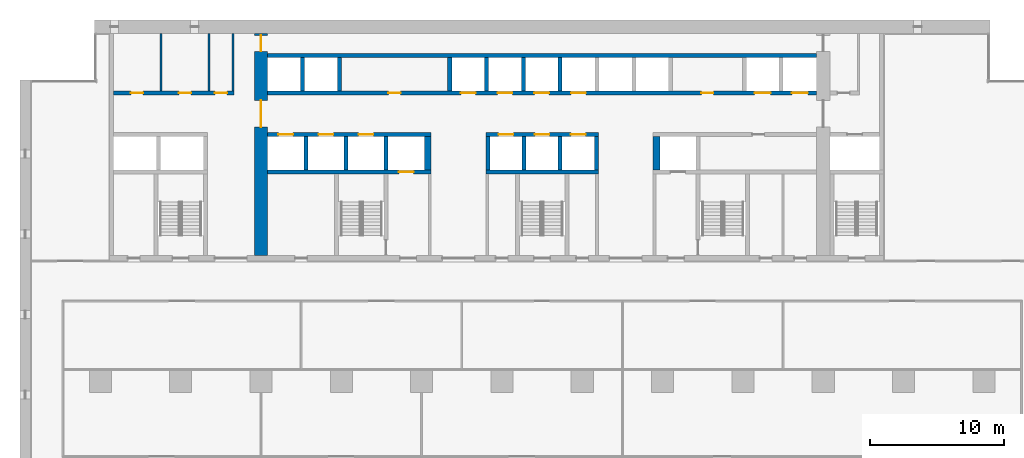
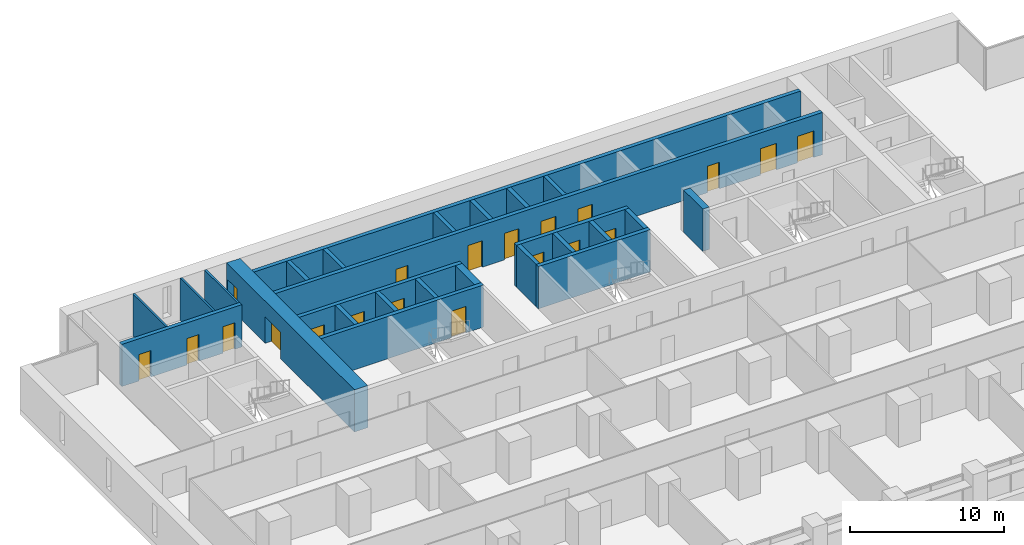
# One storey, part 11 of 18: 26 walls, 20 doors, 20 openings.
"""IFC4 building model written with IfcOpenShell, lengths in metres."""

import ifcopenshell
import ifcopenshell.guid

model = None  # the IFC model being written
_history = None  # IfcOwnerHistory: only IFC2X3 demands one
_inside = {}  # id of a spatial element -> (the spatial element, [elements in it])
_under = {}  # id of a project, library or spatial element -> (it, [spatial elements below it])
_declared = {}  # id of a project -> (the project, [libraries it declares])
_typed = {}  # id of a type object -> (the type object, [elements of that type])
_made_of = {}  # id of a material, layer set ... -> (it, [elements and type objects made of it])


def new_model(schema):
    """Start an empty IFC model of exactly this schema.

    Asked for "IFC4X3", IfcOpenShell would pick the latest addendum, in which some entities
    have other attributes; the version numbers below select the first issue.
    IFC2X3 requires an IfcOwnerHistory on every rooted entity: one is made here for all.
    """
    global model, _history
    if schema == "IFC4X3":
        model = ifcopenshell.file(schema_version=(4, 3, 0, 0))
    else:
        model = ifcopenshell.file(schema=schema)
    _inside.clear()
    _under.clear()
    _declared.clear()
    _typed.clear()
    _made_of.clear()
    _history = None
    if model.schema == "IFC2X3":
        org = make("IfcOrganization", Name="unknown")
        user = make(
            "IfcPersonAndOrganization",
            ThePerson=make("IfcPerson", FamilyName="unknown"),
            TheOrganization=org,
        )
        app = make(
            "IfcApplication",
            ApplicationDeveloper=org,
            Version="unknown",
            ApplicationFullName="unknown",
            ApplicationIdentifier="unknown",
        )
        _history = make(
            "IfcOwnerHistory",
            OwningUser=user,
            OwningApplication=app,
            ChangeAction="ADDED",
            CreationDate=0,
        )
    return model


def make(cls, **values):
    """One entity of the class cls with the attributes given. An attribute that is None is left unset."""
    return model.create_entity(
        cls, **{name: value for name, value in values.items() if value is not None}
    )


def rooted(cls, **values):
    """An entity with a GlobalId (a new one), such as an element, a storey or a relation."""
    return make(cls, GlobalId=ifcopenshell.guid.new(), OwnerHistory=_history, **values)


def si_unit(unit_type, name, prefix=None):
    """IfcSIUnit, for example si_unit("LENGTHUNIT", "METRE", prefix="MILLI")."""
    return make("IfcSIUnit", UnitType=unit_type, Prefix=prefix, Name=name)


def assignment(units):
    """IfcUnitAssignment: the units of a project."""
    return None if units is None else make("IfcUnitAssignment", Units=units)


def point(xyz):
    """IfcCartesianPoint."""
    return None if xyz is None else make("IfcCartesianPoint", Coordinates=xyz)


def direction(xyz):
    """IfcDirection."""
    return None if xyz is None else make("IfcDirection", DirectionRatios=xyz)


def frame(location, z_axis=None, x_axis=None):
    """IfcAxis2Placement3D, a coordinate frame: its origin and axes. An axis left out is left unset."""
    return make(
        "IfcAxis2Placement3D",
        Location=point(location),
        Axis=direction(z_axis),
        RefDirection=direction(x_axis),
    )


def frame_2d(location, x_axis=None):
    """IfcAxis2Placement2D, a coordinate frame in the plane: its origin and x axis."""
    return make(
        "IfcAxis2Placement2D", Location=point(location), RefDirection=direction(x_axis)
    )


def origin():
    """The frame at (0, 0, 0) with its axes left unset."""
    return frame((0.0, 0.0, 0.0))


def place(relative_to, where):
    """IfcLocalPlacement: puts the frame where relative to a parent placement (None: the world)."""
    return make(
        "IfcLocalPlacement", PlacementRelTo=relative_to, RelativePlacement=where
    )


def context(
    kind, dimensions, precision=None, world=None, true_north=None, identifier=None
):
    """IfcGeometricRepresentationContext, for example the 3D "Model" context."""
    return make(
        "IfcGeometricRepresentationContext",
        ContextIdentifier=identifier,
        ContextType=kind,
        CoordinateSpaceDimension=dimensions,
        Precision=precision,
        WorldCoordinateSystem=world,
        TrueNorth=true_north,
    )


def subcontext(parent, identifier, kind, view, scale=None):
    """IfcGeometricRepresentationSubContext, for example "Body" below "Model"."""
    return make(
        "IfcGeometricRepresentationSubContext",
        ContextIdentifier=identifier,
        ContextType=kind,
        ParentContext=parent,
        TargetScale=scale,
        TargetView=view,
    )


def project(units=None, contexts=None):
    """IfcProject with its units and contexts."""
    return rooted(
        "IfcProject",
        Name="project",
        RepresentationContexts=contexts,
        UnitsInContext=assignment(units),
    )


def spatial(cls, under=None, at=None, **own):
    """A site, building, storey or space (cls), placed at a placement, below another one or the project."""
    s = rooted(cls, ObjectPlacement=at, **own)
    if under is not None:
        _under.setdefault(under.id(), (under, []))[1].append(s)
    return s


def profile(cls, at=None, kind="AREA", **sizes):
    """A parametric profile (cls). Its sizes go by their IFC names, for example OverallWidth=200.0."""
    return make(cls, ProfileType=kind, Position=at, **sizes)


def rectangle(**sizes):
    """IfcRectangleProfileDef."""
    return profile("IfcRectangleProfileDef", **sizes)


def extrude(swept, where, along, depth):
    """IfcExtrudedAreaSolid: the profile swept, set in the frame where, extruded along a direction by depth."""
    return make(
        "IfcExtrudedAreaSolid",
        SweptArea=swept,
        Position=where,
        ExtrudedDirection=direction(along),
        Depth=depth,
    )


def shape(context_of_items, identifier, shape_type, items):
    """IfcShapeRepresentation: the items that make up one representation, for example the "Body"."""
    return make(
        "IfcShapeRepresentation",
        ContextOfItems=context_of_items,
        RepresentationIdentifier=identifier,
        RepresentationType=shape_type,
        Items=items,
    )


def material(Name=None, Category=None):
    """IfcMaterial."""
    return make("IfcMaterial", Name=Name, Category=Category)


def layer(
    of_material, thickness, ventilated=None, Name=None, Category=None, Priority=None
):
    """IfcMaterialLayer: one layer of a wall or slab, of a material (None: an air gap)."""
    return make(
        "IfcMaterialLayer",
        Material=of_material,
        LayerThickness=thickness,
        IsVentilated=ventilated,
        Name=Name,
        Category=Category,
        Priority=Priority,
    )


def layer_set(layers, Name=None):
    """IfcMaterialLayerSet."""
    return make("IfcMaterialLayerSet", MaterialLayers=layers, LayerSetName=Name)


def made_of(thing, what):
    """Note that an element or type object is made of a material, layer set ...; save() writes the relation."""
    if what is not None:
        _made_of.setdefault(what.id(), (what, []))[1].append(thing)
    return thing


def type_object(cls, material=None, **own):
    """A type object (cls), such as IfcWallType, which elements share."""
    return made_of(rooted(cls, **own), material)


def element(
    cls,
    number,
    at=None,
    inside=None,
    cuts=None,
    type_object=None,
    material=None,
    context=None,
    identifier="Body",
    shape_type=None,
    held_by="IfcProductDefinitionShape",
    body=None,
    shapes=None,
    **own,
):
    """One element of the class cls, such as IfcWall. Its Tag is "e" and its number.

    at: its placement. inside: the storey or other place that contains it. cuts: it is an
    opening in that element (IfcRelVoidsElement). A single representation is given by context,
    identifier, shape_type and body (its items); several are given by shapes. held_by: the class
    of the entity that holds the representations. save() writes the other relations.
    """
    e = rooted(cls, Tag="e%d" % number, ObjectPlacement=at, **own)
    if body is not None:
        shapes = [shape(context, identifier, shape_type, body)]
    if shapes is not None:
        e.Representation = make(held_by, Representations=shapes)
    if inside is not None:
        _inside.setdefault(inside.id(), (inside, []))[1].append(e)
    if cuts is not None:
        rooted(
            "IfcRelVoidsElement", RelatingBuildingElement=cuts, RelatedOpeningElement=e
        )
    if type_object is not None:
        _typed.setdefault(type_object.id(), (type_object, []))[1].append(e)
    return made_of(e, material)


def fill(opening, filler):
    """IfcRelFillsElement: the door or window that sits in an opening."""
    return rooted(
        "IfcRelFillsElement",
        RelatingOpeningElement=opening,
        RelatedBuildingElement=filler,
    )


def aggregate(whole, parts):
    """IfcRelAggregates: a whole, such as a stair, and the parts it consists of."""
    return rooted("IfcRelAggregates", RelatingObject=whole, RelatedObjects=parts)


def save(model, path):
    """Write the relations noted so far, then the file.

    IfcRelAggregates (storeys below a building ...), IfcRelContainedInSpatialStructure (elements
    in a storey), IfcRelDefinesByType, IfcRelAssociatesMaterial and IfcRelDeclares: one each for
    every whole, place, type object, material and project.
    """
    for whole, parts in _under.values():
        aggregate(whole, parts)
    for where, things in _inside.values():
        rooted(
            "IfcRelContainedInSpatialStructure",
            RelatedElements=things,
            RelatingStructure=where,
        )
    for kind, things in _typed.values():
        rooted("IfcRelDefinesByType", RelatedObjects=things, RelatingType=kind)
    for what, things in _made_of.values():
        rooted("IfcRelAssociatesMaterial", RelatedObjects=things, RelatingMaterial=what)
    for by, libraries in _declared.values():
        rooted("IfcRelDeclares", RelatingContext=by, RelatedDefinitions=libraries)
    model.write(path)


model = new_model("IFC4")

# Units and contexts
model_context = context("Model", 3, precision=1e-05, world=origin(), true_north=direction((0.0, 1.0)))
body_context = subcontext(model_context, "Body", "Model", "MODEL_VIEW")
ifc_project = project(units=[si_unit("LENGTHUNIT", "METRE"), si_unit("AREAUNIT", "SQUARE_METRE"), si_unit("VOLUMEUNIT", "CUBIC_METRE"), si_unit("PLANEANGLEUNIT", "RADIAN"), si_unit("MASSUNIT", "GRAM", prefix="KILO")], contexts=[model_context])

# Site, building, storey
site_placement = place(None, origin())
site = spatial("IfcSite", under=ifc_project, at=site_placement, CompositionType="ELEMENT")
building_placement = place(site_placement, origin())
building = spatial("IfcBuilding", under=site, at=building_placement, Name="Calvaro Tower", CompositionType="ELEMENT")
storey_placement = place(building_placement, frame((0.0, 0.0, 56.25)))
storey = spatial("IfcBuildingStorey", under=building, at=storey_placement, Name="L13", CompositionType="ELEMENT", Elevation=56.25)

# Walls
ifc_material_1 = material(Name="Blockwork partition", Category="masonry")
ifc_layer_1 = layer(ifc_material_1, 0.14990234375)
ifc_layer_set_1 = layer_set([ifc_layer_1], Name="Blockwork partition")
wall_type_1 = type_object("IfcWallType", Name="Core partition 150 EI 60", PredefinedType="PARTITIONING", material=ifc_layer_set_1)
for number, where, z_axis, x_axis, name in (
    (1, (10.550048828125, 40.699951171875, 0.0), (0.0, 0.0, 1.0), (0.0, 1.0, 0.0), "Core partition"),
    (2, (14.10009765625, 40.699951171875, 0.0), (0.0, 0.0, 1.0), (0.0, 1.0, 0.0), "Core partition"),
):
    element("IfcWall", number, at=place(storey_placement, frame(where, z_axis=z_axis, x_axis=x_axis)), inside=storey, type_object=wall_type_1, Name=name, PredefinedType="PARTITIONING", context=body_context, shape_type="SweptSolid", body=[
        extrude(rectangle(XDim=4.300048828125, YDim=0.14990234375, at=frame_2d((2.14990234375, 0.0))), origin(), (0.0, 0.0, 1.0), 3.35009765625),
    ])
ifc_material_2 = material(Name="Blockwork partition", Category="masonry")
ifc_layer_2 = layer(ifc_material_2, 0.14990234375)
ifc_layer_set_2 = layer_set([ifc_layer_2], Name="Blockwork partition")
wall_type_2 = type_object("IfcWallType", Name="Core partition 150 REI 120", PredefinedType="PARTITIONING", material=ifc_layer_set_2)
wall_1_placement = place(storey_placement, frame((15.925048828125, 40.699951171875, 0.0), z_axis=(0.0, 0.0, 1.0), x_axis=(0.0, 1.0, 0.0)))
element("IfcWall", 3, at=wall_1_placement, inside=storey, type_object=wall_type_2, Name="Core partition", PredefinedType="PARTITIONING", context=body_context, shape_type="SweptSolid", body=[
    extrude(rectangle(XDim=4.300048828125, YDim=0.14990234375, at=frame_2d((2.14990234375, 0.0))), origin(), (0.0, 0.0, 1.0), 3.35009765625),
])

# Wall, openings, doors
ifc_material_3 = material(Name="Blockwork partition", Category="masonry")
ifc_layer_3 = layer(ifc_material_3, 0.300048828125)
ifc_layer_set_3 = layer_set([ifc_layer_3], Name="Blockwork partition")
wall_type_3 = type_object("IfcWallType", Name="Core partition 300 REI 120", PredefinedType="PARTITIONING", material=ifc_layer_set_3)
wall_2_placement = place(storey_placement, frame((7.0, 40.550048828125, 0.0), z_axis=(0.0, 0.0, 1.0), x_axis=(1.0, 0.0, 0.0)))
wall_2 = element("IfcWall", 4, at=wall_2_placement, inside=storey, type_object=wall_type_3, Name="Core partition", PredefinedType="PARTITIONING", context=body_context, shape_type="SweptSolid", body=[
    extrude(rectangle(XDim=9.0, YDim=0.300048828125, at=frame_2d((4.5, 0.0))), origin(), (0.0, 0.0, 1.0), 3.35009765625),
])
opening_1_placement = place(wall_2_placement, frame((1.28759765625, 0.0, 0.0)))
opening_1 = element("IfcOpeningElement", 5, at=opening_1_placement, cuts=wall_2, Name="Opening RD9", PredefinedType="OPENING", context=body_context, shape_type="SweptSolid", body=[
    extrude(rectangle(XDim=0.89990234375, YDim=2.10009765625, at=frame_2d((0.449951171875, 1.050048828125))), frame((0.0, 0.159912109375, 0.0), z_axis=(0.0, -1.0, 0.0), x_axis=(1.0, 0.0, 0.0)), (0.0, 0.0, 1.0), 0.320068359375),
])
opening_2_placement = place(wall_2_placement, frame((4.875, 0.0, 0.0)))
opening_2 = element("IfcOpeningElement", 6, at=opening_2_placement, cuts=wall_2, Name="Opening RD9", PredefinedType="OPENING", context=body_context, shape_type="SweptSolid", body=[
    extrude(rectangle(XDim=0.89990234375, YDim=2.10009765625, at=frame_2d((0.449951171875, 1.050048828125))), frame((0.0, 0.159912109375, 0.0), z_axis=(0.0, -1.0, 0.0), x_axis=(1.0, 0.0, 0.0)), (0.0, 0.0, 1.0), 0.320068359375),
])
opening_3_placement = place(wall_2_placement, frame((7.5625, 0.0, 0.0)))
opening_3 = element("IfcOpeningElement", 7, at=opening_3_placement, cuts=wall_2, Name="Opening RD9", PredefinedType="OPENING", context=body_context, shape_type="SweptSolid", body=[
    extrude(rectangle(XDim=0.89990234375, YDim=2.10009765625, at=frame_2d((0.449951171875, 1.050048828125))), frame((0.0, 0.159912109375, 0.0), z_axis=(0.0, -1.0, 0.0), x_axis=(1.0, 0.0, 0.0)), (0.0, 0.0, 1.0), 0.320068359375),
])
ifc_material_4 = material(Name="Steel door set", Category="steel")
door_type_1 = type_object("IfcDoorType", Name="Room door 900", OperationType="SINGLE_SWING_LEFT", PredefinedType="DOOR", material=ifc_material_4)
door_1_placement = place(opening_1_placement, origin())
door_1 = element("IfcDoor", 8, at=door_1_placement, inside=storey, type_object=door_type_1, Name="Room door", OperationType="SINGLE_SWING_RIGHT", OverallHeight=2.10009765625, OverallWidth=0.89990234375, PredefinedType="DOOR", context=body_context, shape_type="SweptSolid", body=[
    extrude(rectangle(XDim=0.89990234375, YDim=2.10009765625, at=frame_2d((0.449951171875, 1.050048828125))), frame((0.0, 0.02490234375, 0.0), z_axis=(0.0, -1.0, 0.0), x_axis=(1.0, 0.0, 0.0)), (0.0, 0.0, 1.0), 0.050048828125),
])
fill(opening_1, door_1)
door_2_placement = place(opening_2_placement, origin())
door_2 = element("IfcDoor", 9, at=door_2_placement, inside=storey, type_object=door_type_1, Name="Room door", OperationType="SINGLE_SWING_LEFT", OverallHeight=2.10009765625, OverallWidth=0.89990234375, PredefinedType="DOOR", context=body_context, shape_type="SweptSolid", body=[
    extrude(rectangle(XDim=0.89990234375, YDim=2.10009765625, at=frame_2d((0.449951171875, 1.050048828125))), frame((0.0, 0.02490234375, 0.0), z_axis=(0.0, -1.0, 0.0), x_axis=(1.0, 0.0, 0.0)), (0.0, 0.0, 1.0), 0.050048828125),
])
fill(opening_2, door_2)
door_3_placement = place(opening_3_placement, origin())
door_3 = element("IfcDoor", 10, at=door_3_placement, inside=storey, type_object=door_type_1, Name="Room door", OperationType="SINGLE_SWING_LEFT", OverallHeight=2.10009765625, OverallWidth=0.89990234375, PredefinedType="DOOR", context=body_context, shape_type="SweptSolid", body=[
    extrude(rectangle(XDim=0.89990234375, YDim=2.10009765625, at=frame_2d((0.449951171875, 1.050048828125))), frame((0.0, 0.02490234375, 0.0), z_axis=(0.0, -1.0, 0.0), x_axis=(1.0, 0.0, 0.0)), (0.0, 0.0, 1.0), 0.050048828125),
])
fill(opening_3, door_3)

ifc_material_5 = material(Name="Concrete C80/95", Category="concrete")
ifc_layer_4 = layer(ifc_material_5, 1.0)
ifc_layer_set_4 = layer_set([ifc_layer_4], Name="Concrete C80/95")
wall_type_4 = type_object("IfcWallType", Name="Core wall C80/95 1000", PredefinedType="SHEAR", material=ifc_layer_set_4)
wall_3_placement = place(storey_placement, frame((18.0, 28.39990234375, 0.0), z_axis=(0.0, 0.0, 1.0), x_axis=(0.0, 1.0, 0.0)))
wall_3 = element("IfcWall", 11, at=wall_3_placement, inside=storey, type_object=wall_type_4, Name="Core wall, cross shear wall", PredefinedType="SHEAR", context=body_context, shape_type="SweptSolid", body=[
    extrude(rectangle(XDim=16.60009765625, YDim=1.0, at=frame_2d((8.300048828125, 0.0))), origin(), (0.0, 0.0, 1.0), 3.35009765625),
])
opening_4_placement = place(wall_3_placement, frame((9.60009765625, 0.0, 0.0)))
opening_4 = element("IfcOpeningElement", 12, at=opening_4_placement, cuts=wall_3, Name="Opening DD20D", PredefinedType="OPENING", context=body_context, shape_type="SweptSolid", body=[
    extrude(rectangle(XDim=2.0, YDim=2.10009765625, at=frame_2d((1.0, 1.050048828125))), frame((0.0, 0.510009765625, 0.0), z_axis=(0.0, -1.0, 0.0), x_axis=(1.0, 0.0, 0.0)), (0.0, 0.0, 1.0), 1.02001953125),
])
opening_5_placement = place(wall_3_placement, frame((15.25, 0.0, 0.0)))
opening_5 = element("IfcOpeningElement", 13, at=opening_5_placement, cuts=wall_3, Name="Opening FD12C", PredefinedType="OPENING", context=body_context, shape_type="SweptSolid", body=[
    extrude(rectangle(XDim=1.199951171875, YDim=2.10009765625, at=frame_2d((0.60009765625, 1.050048828125))), frame((0.0, 0.510009765625, 0.0), z_axis=(0.0, -1.0, 0.0), x_axis=(1.0, 0.0, 0.0)), (0.0, 0.0, 1.0), 1.02001953125),
])
ifc_material_6 = material(Name="Steel door set", Category="steel")
door_type_2 = type_object("IfcDoorType", Name="Fire door 1200 FD30", OperationType="SINGLE_SWING_LEFT", PredefinedType="DOOR", material=ifc_material_6)
door_4_placement = place(opening_5_placement, origin())
door_4 = element("IfcDoor", 14, at=door_4_placement, inside=storey, type_object=door_type_2, Name="Fire door", OperationType="SINGLE_SWING_LEFT", OverallHeight=2.10009765625, OverallWidth=1.199951171875, PredefinedType="DOOR", context=body_context, shape_type="SweptSolid", body=[
    extrude(rectangle(XDim=1.199951171875, YDim=2.10009765625, at=frame_2d((0.60009765625, 1.050048828125))), frame((0.0, 0.02490234375, 0.0), z_axis=(0.0, -1.0, 0.0), x_axis=(1.0, 0.0, 0.0)), (0.0, 0.0, 1.0), 0.050048828125),
])
fill(opening_5, door_4)
ifc_material_7 = material(Name="Steel door set", Category="steel")
door_type_3 = type_object("IfcDoorType", Name="Lobby double door 2000 FD30S", OperationType="DOUBLE_DOOR_SINGLE_SWING", PredefinedType="DOOR", material=ifc_material_7)
door_5_placement = place(opening_4_placement, origin())
door_5 = element("IfcDoor", 15, at=door_5_placement, inside=storey, type_object=door_type_3, Name="Lobby double door", OperationType="DOUBLE_DOOR_SINGLE_SWING", OverallHeight=2.10009765625, OverallWidth=2.0, PredefinedType="DOOR", context=body_context, shape_type="SweptSolid", body=[
    extrude(rectangle(XDim=2.0, YDim=2.10009765625, at=frame_2d((1.0, 1.050048828125))), frame((0.0, 0.02490234375, 0.0), z_axis=(0.0, -1.0, 0.0), x_axis=(1.0, 0.0, 0.0)), (0.0, 0.0, 1.0), 0.050048828125),
])
fill(opening_4, door_5)

# Wall, opening, door
ifc_material_8 = material(Name="Concrete C80/95", Category="concrete")
ifc_layer_5 = layer(ifc_material_8, 0.300048828125)
ifc_layer_set_5 = layer_set([ifc_layer_5], Name="Concrete C80/95")
wall_type_5 = type_object("IfcWallType", Name="Core wall C80/95 300", PredefinedType="SHEAR", material=ifc_layer_set_5)
wall_4_placement = place(storey_placement, frame((18.5, 34.64990234375, 0.0), z_axis=(0.0, 0.0, 1.0), x_axis=(1.0, 0.0, 0.0)))
wall_4 = element("IfcWall", 16, at=wall_4_placement, inside=storey, type_object=wall_type_5, Name="Core wall, lift shaft", PredefinedType="SHEAR", context=body_context, shape_type="SweptSolid", body=[
    extrude(rectangle(XDim=12.199951171875, YDim=0.300048828125, at=frame_2d((6.10009765625, 0.0))), origin(), (0.0, 0.0, 1.0), 3.35009765625),
])
opening_6_placement = place(wall_4_placement, frame((9.800048828125, 0.0, 0.0)))
opening_6 = element("IfcOpeningElement", 17, at=opening_6_placement, cuts=wall_4, Name="Opening FF1", PredefinedType="OPENING", context=body_context, shape_type="SweptSolid", body=[
    extrude(rectangle(XDim=1.10009765625, YDim=2.10009765625, at=frame_2d((0.550048828125, 1.050048828125))), frame((0.0, 0.159912109375, 0.0), z_axis=(0.0, -1.0, 0.0), x_axis=(1.0, 0.0, 0.0)), (0.0, 0.0, 1.0), 0.320068359375),
])
ifc_material_9 = material(Name="Stainless steel", Category="steel")
door_type_4 = type_object("IfcDoorType", Name="Landing door 1100 E 60", OperationType="SLIDING_TO_LEFT", PredefinedType="DOOR", material=ifc_material_9)
door_6_placement = place(opening_6_placement, origin())
door_6 = element("IfcDoor", 18, at=door_6_placement, inside=storey, type_object=door_type_4, Name="Landing door FF1", OperationType="SLIDING_TO_LEFT", OverallHeight=2.10009765625, OverallWidth=1.10009765625, PredefinedType="DOOR", context=body_context, shape_type="SweptSolid", body=[
    extrude(rectangle(XDim=1.10009765625, YDim=2.10009765625, at=frame_2d((0.550048828125, 1.050048828125))), frame((0.0, 0.02490234375, 0.0), z_axis=(0.0, -1.0, 0.0), x_axis=(1.0, 0.0, 0.0)), (0.0, 0.0, 1.0), 0.050048828125),
])
fill(opening_6, door_6)

# Wall
wall_5_placement = place(storey_placement, frame((34.800048828125, 34.64990234375, 0.0), z_axis=(0.0, 0.0, 1.0), x_axis=(1.0, 0.0, 0.0)))
element("IfcWall", 19, at=wall_5_placement, inside=storey, type_object=wall_type_5, Name="Core wall, lift shaft", PredefinedType="SHEAR", context=body_context, shape_type="SweptSolid", body=[
    extrude(rectangle(XDim=8.39990234375, YDim=0.300048828125, at=frame_2d((4.199951171875, 0.0))), origin(), (0.0, 0.0, 1.0), 3.35009765625),
])

# Wall, openings, doors
wall_6_placement = place(storey_placement, frame((18.5, 37.449951171875, 0.0), z_axis=(0.0, 0.0, 1.0), x_axis=(1.0, 0.0, 0.0)))
wall_6 = element("IfcWall", 20, at=wall_6_placement, inside=storey, type_object=wall_type_5, Name="Core wall, lift shaft", PredefinedType="SHEAR", context=body_context, shape_type="SweptSolid", body=[
    extrude(rectangle(XDim=12.199951171875, YDim=0.300048828125, at=frame_2d((6.10009765625, 0.0))), origin(), (0.0, 0.0, 1.0), 3.35009765625),
])
opening_7_placement = place(wall_6_placement, frame((0.800048828125, 0.0, 0.0)))
opening_7 = element("IfcOpeningElement", 21, at=opening_7_placement, cuts=wall_6, Name="Opening LR1", PredefinedType="OPENING", context=body_context, shape_type="SweptSolid", body=[
    extrude(rectangle(XDim=1.10009765625, YDim=2.10009765625, at=frame_2d((0.550048828125, 1.050048828125))), frame((0.0, 0.159912109375, 0.0), z_axis=(0.0, -1.0, 0.0), x_axis=(1.0, 0.0, 0.0)), (0.0, 0.0, 1.0), 0.320068359375),
])
opening_8_placement = place(wall_6_placement, frame((3.800048828125, 0.0, 0.0)))
opening_8 = element("IfcOpeningElement", 22, at=opening_8_placement, cuts=wall_6, Name="Opening LR2", PredefinedType="OPENING", context=body_context, shape_type="SweptSolid", body=[
    extrude(rectangle(XDim=1.10009765625, YDim=2.10009765625, at=frame_2d((0.550048828125, 1.050048828125))), frame((0.0, 0.159912109375, 0.0), z_axis=(0.0, -1.0, 0.0), x_axis=(1.0, 0.0, 0.0)), (0.0, 0.0, 1.0), 0.320068359375),
])
opening_9_placement = place(wall_6_placement, frame((6.800048828125, 0.0, 0.0)))
opening_9 = element("IfcOpeningElement", 23, at=opening_9_placement, cuts=wall_6, Name="Opening LR3", PredefinedType="OPENING", context=body_context, shape_type="SweptSolid", body=[
    extrude(rectangle(XDim=1.10009765625, YDim=2.10009765625, at=frame_2d((0.550048828125, 1.050048828125))), frame((0.0, 0.159912109375, 0.0), z_axis=(0.0, -1.0, 0.0), x_axis=(1.0, 0.0, 0.0)), (0.0, 0.0, 1.0), 0.320068359375),
])
door_7_placement = place(opening_7_placement, origin())
door_7 = element("IfcDoor", 24, at=door_7_placement, inside=storey, type_object=door_type_4, Name="Landing door LR1", OperationType="SLIDING_TO_LEFT", OverallHeight=2.10009765625, OverallWidth=1.10009765625, PredefinedType="DOOR", context=body_context, shape_type="SweptSolid", body=[
    extrude(rectangle(XDim=1.10009765625, YDim=2.10009765625, at=frame_2d((0.550048828125, 1.050048828125))), frame((0.0, 0.02490234375, 0.0), z_axis=(0.0, -1.0, 0.0), x_axis=(1.0, 0.0, 0.0)), (0.0, 0.0, 1.0), 0.050048828125),
])
fill(opening_7, door_7)
door_8_placement = place(opening_8_placement, origin())
door_8 = element("IfcDoor", 25, at=door_8_placement, inside=storey, type_object=door_type_4, Name="Landing door LR2", OperationType="SLIDING_TO_LEFT", OverallHeight=2.10009765625, OverallWidth=1.10009765625, PredefinedType="DOOR", context=body_context, shape_type="SweptSolid", body=[
    extrude(rectangle(XDim=1.10009765625, YDim=2.10009765625, at=frame_2d((0.550048828125, 1.050048828125))), frame((0.0, 0.02490234375, 0.0), z_axis=(0.0, -1.0, 0.0), x_axis=(1.0, 0.0, 0.0)), (0.0, 0.0, 1.0), 0.050048828125),
])
fill(opening_8, door_8)
door_9_placement = place(opening_9_placement, origin())
door_9 = element("IfcDoor", 26, at=door_9_placement, inside=storey, type_object=door_type_4, Name="Landing door LR3", OperationType="SLIDING_TO_LEFT", OverallHeight=2.10009765625, OverallWidth=1.10009765625, PredefinedType="DOOR", context=body_context, shape_type="SweptSolid", body=[
    extrude(rectangle(XDim=1.10009765625, YDim=2.10009765625, at=frame_2d((0.550048828125, 1.050048828125))), frame((0.0, 0.02490234375, 0.0), z_axis=(0.0, -1.0, 0.0), x_axis=(1.0, 0.0, 0.0)), (0.0, 0.0, 1.0), 0.050048828125),
])
fill(opening_9, door_9)

wall_7_placement = place(storey_placement, frame((34.800048828125, 37.449951171875, 0.0), z_axis=(0.0, 0.0, 1.0), x_axis=(1.0, 0.0, 0.0)))
wall_7 = element("IfcWall", 27, at=wall_7_placement, inside=storey, type_object=wall_type_5, Name="Core wall, lift shaft", PredefinedType="SHEAR", context=body_context, shape_type="SweptSolid", body=[
    extrude(rectangle(XDim=8.39990234375, YDim=0.300048828125, at=frame_2d((4.199951171875, 0.0))), origin(), (0.0, 0.0, 1.0), 3.35009765625),
])
opening_10_placement = place(wall_7_placement, frame((0.949951171875, 0.0, 0.0)))
opening_10 = element("IfcOpeningElement", 28, at=opening_10_placement, cuts=wall_7, Name="Opening LR4", PredefinedType="OPENING", context=body_context, shape_type="SweptSolid", body=[
    extrude(rectangle(XDim=1.10009765625, YDim=2.10009765625, at=frame_2d((0.550048828125, 1.050048828125))), frame((0.0, 0.159912109375, 0.0), z_axis=(0.0, -1.0, 0.0), x_axis=(1.0, 0.0, 0.0)), (0.0, 0.0, 1.0), 0.320068359375),
])
opening_11_placement = place(wall_7_placement, frame((3.64990234375, 0.0, 0.0)))
opening_11 = element("IfcOpeningElement", 29, at=opening_11_placement, cuts=wall_7, Name="Opening LR5", PredefinedType="OPENING", context=body_context, shape_type="SweptSolid", body=[
    extrude(rectangle(XDim=1.10009765625, YDim=2.10009765625, at=frame_2d((0.550048828125, 1.050048828125))), frame((0.0, 0.159912109375, 0.0), z_axis=(0.0, -1.0, 0.0), x_axis=(1.0, 0.0, 0.0)), (0.0, 0.0, 1.0), 0.320068359375),
])
opening_12_placement = place(wall_7_placement, frame((6.35009765625, 0.0, 0.0)))
opening_12 = element("IfcOpeningElement", 30, at=opening_12_placement, cuts=wall_7, Name="Opening LR6", PredefinedType="OPENING", context=body_context, shape_type="SweptSolid", body=[
    extrude(rectangle(XDim=1.10009765625, YDim=2.10009765625, at=frame_2d((0.550048828125, 1.050048828125))), frame((0.0, 0.159912109375, 0.0), z_axis=(0.0, -1.0, 0.0), x_axis=(1.0, 0.0, 0.0)), (0.0, 0.0, 1.0), 0.320068359375),
])
door_10_placement = place(opening_10_placement, origin())
door_10 = element("IfcDoor", 31, at=door_10_placement, inside=storey, type_object=door_type_4, Name="Landing door LR4", OperationType="SLIDING_TO_LEFT", OverallHeight=2.10009765625, OverallWidth=1.10009765625, PredefinedType="DOOR", context=body_context, shape_type="SweptSolid", body=[
    extrude(rectangle(XDim=1.10009765625, YDim=2.10009765625, at=frame_2d((0.550048828125, 1.050048828125))), frame((0.0, 0.02490234375, 0.0), z_axis=(0.0, -1.0, 0.0), x_axis=(1.0, 0.0, 0.0)), (0.0, 0.0, 1.0), 0.050048828125),
])
fill(opening_10, door_10)
door_11_placement = place(opening_11_placement, origin())
door_11 = element("IfcDoor", 32, at=door_11_placement, inside=storey, type_object=door_type_4, Name="Landing door LR5", OperationType="SLIDING_TO_LEFT", OverallHeight=2.10009765625, OverallWidth=1.10009765625, PredefinedType="DOOR", context=body_context, shape_type="SweptSolid", body=[
    extrude(rectangle(XDim=1.10009765625, YDim=2.10009765625, at=frame_2d((0.550048828125, 1.050048828125))), frame((0.0, 0.02490234375, 0.0), z_axis=(0.0, -1.0, 0.0), x_axis=(1.0, 0.0, 0.0)), (0.0, 0.0, 1.0), 0.050048828125),
])
fill(opening_11, door_11)
door_12_placement = place(opening_12_placement, origin())
door_12 = element("IfcDoor", 33, at=door_12_placement, inside=storey, type_object=door_type_4, Name="Landing door LR6", OperationType="SLIDING_TO_LEFT", OverallHeight=2.10009765625, OverallWidth=1.10009765625, PredefinedType="DOOR", context=body_context, shape_type="SweptSolid", body=[
    extrude(rectangle(XDim=1.10009765625, YDim=2.10009765625, at=frame_2d((0.550048828125, 1.050048828125))), frame((0.0, 0.02490234375, 0.0), z_axis=(0.0, -1.0, 0.0), x_axis=(1.0, 0.0, 0.0)), (0.0, 0.0, 1.0), 0.050048828125),
])
fill(opening_12, door_12)

# Walls
for number, where, z_axis, x_axis, name in (
    (34, (27.35009765625, 34.800048828125, 0.0), (0.0, 0.0, 1.0), (0.0, 1.0, 0.0), "Core wall, lift shaft"),
    (35, (34.949951171875, 34.800048828125, 0.0), (0.0, 0.0, 1.0), (0.0, 1.0, 0.0), "Core wall, lift shaft"),
    (36, (43.050048828125, 34.800048828125, 0.0), (0.0, 0.0, 1.0), (0.0, 1.0, 0.0), "Core wall, lift shaft"),
):
    element("IfcWall", number, at=place(storey_placement, frame(where, z_axis=z_axis, x_axis=x_axis)), inside=storey, type_object=wall_type_5, Name=name, PredefinedType="SHEAR", context=body_context, shape_type="SweptSolid", body=[
        extrude(rectangle(XDim=2.5, YDim=0.300048828125, at=frame_2d((1.25, 0.0))), origin(), (0.0, 0.0, 1.0), 3.35009765625),
    ])

# Wall, openings, doors
wall_8_placement = place(storey_placement, frame((18.5, 40.550048828125, 0.0), z_axis=(0.0, 0.0, 1.0), x_axis=(1.0, 0.0, 0.0)))
wall_8 = element("IfcWall", 37, at=wall_8_placement, inside=storey, type_object=wall_type_5, Name="Core wall, bay", PredefinedType="SHEAR", context=body_context, shape_type="SweptSolid", body=[
    extrude(rectangle(XDim=41.0, YDim=0.300048828125, at=frame_2d((20.5, 0.0))), origin(), (0.0, 0.0, 1.0), 3.35009765625),
])
opening_13_placement = place(wall_8_placement, frame((9.02490234375, 0.0, 0.0)))
opening_13 = element("IfcOpeningElement", 38, at=opening_13_placement, cuts=wall_8, Name="Opening RD9C", PredefinedType="OPENING", context=body_context, shape_type="SweptSolid", body=[
    extrude(rectangle(XDim=0.89990234375, YDim=2.10009765625, at=frame_2d((0.449951171875, 1.050048828125))), frame((0.0, 0.159912109375, 0.0), z_axis=(0.0, -1.0, 0.0), x_axis=(1.0, 0.0, 0.0)), (0.0, 0.0, 1.0), 0.320068359375),
])
opening_14_placement = place(wall_8_placement, frame((32.39990234375, 0.0, 0.0)))
opening_14 = element("IfcOpeningElement", 39, at=opening_14_placement, cuts=wall_8, Name="Opening RD9C", PredefinedType="OPENING", context=body_context, shape_type="SweptSolid", body=[
    extrude(rectangle(XDim=0.89990234375, YDim=2.10009765625, at=frame_2d((0.449951171875, 1.050048828125))), frame((0.0, 0.159912109375, 0.0), z_axis=(0.0, -1.0, 0.0), x_axis=(1.0, 0.0, 0.0)), (0.0, 0.0, 1.0), 0.320068359375),
])
opening_15_placement = place(wall_8_placement, frame((14.425048828125, 0.0, 0.0)))
opening_15 = element("IfcOpeningElement", 40, at=opening_15_placement, cuts=wall_8, Name="Opening LR7", PredefinedType="OPENING", context=body_context, shape_type="SweptSolid", body=[
    extrude(rectangle(XDim=1.10009765625, YDim=2.10009765625, at=frame_2d((0.550048828125, 1.050048828125))), frame((0.0, 0.159912109375, 0.0), z_axis=(0.0, -1.0, 0.0), x_axis=(1.0, 0.0, 0.0)), (0.0, 0.0, 1.0), 0.320068359375),
])
opening_16_placement = place(wall_8_placement, frame((17.175048828125, 0.0, 0.0)))
opening_16 = element("IfcOpeningElement", 41, at=opening_16_placement, cuts=wall_8, Name="Opening LR8", PredefinedType="OPENING", context=body_context, shape_type="SweptSolid", body=[
    extrude(rectangle(XDim=1.10009765625, YDim=2.10009765625, at=frame_2d((0.550048828125, 1.050048828125))), frame((0.0, 0.159912109375, 0.0), z_axis=(0.0, -1.0, 0.0), x_axis=(1.0, 0.0, 0.0)), (0.0, 0.0, 1.0), 0.320068359375),
])
opening_17_placement = place(wall_8_placement, frame((19.925048828125, 0.0, 0.0)))
opening_17 = element("IfcOpeningElement", 42, at=opening_17_placement, cuts=wall_8, Name="Opening LR9", PredefinedType="OPENING", context=body_context, shape_type="SweptSolid", body=[
    extrude(rectangle(XDim=1.10009765625, YDim=2.10009765625, at=frame_2d((0.550048828125, 1.050048828125))), frame((0.0, 0.159912109375, 0.0), z_axis=(0.0, -1.0, 0.0), x_axis=(1.0, 0.0, 0.0)), (0.0, 0.0, 1.0), 0.320068359375),
])
opening_18_placement = place(wall_8_placement, frame((22.675048828125, 0.0, 0.0)))
opening_18 = element("IfcOpeningElement", 43, at=opening_18_placement, cuts=wall_8, Name="Opening LR10", PredefinedType="OPENING", context=body_context, shape_type="SweptSolid", body=[
    extrude(rectangle(XDim=1.10009765625, YDim=2.10009765625, at=frame_2d((0.550048828125, 1.050048828125))), frame((0.0, 0.159912109375, 0.0), z_axis=(0.0, -1.0, 0.0), x_axis=(1.0, 0.0, 0.0)), (0.0, 0.0, 1.0), 0.320068359375),
])
opening_19_placement = place(wall_8_placement, frame((36.375, 0.0, 0.0)))
opening_19 = element("IfcOpeningElement", 44, at=opening_19_placement, cuts=wall_8, Name="Opening SV1", PredefinedType="OPENING", context=body_context, shape_type="SweptSolid", body=[
    extrude(rectangle(XDim=1.199951171875, YDim=2.10009765625, at=frame_2d((0.60009765625, 1.050048828125))), frame((0.0, 0.159912109375, 0.0), z_axis=(0.0, -1.0, 0.0), x_axis=(1.0, 0.0, 0.0)), (0.0, 0.0, 1.0), 0.320068359375),
])
opening_20_placement = place(wall_8_placement, frame((39.14990234375, 0.0, 0.0)))
opening_20 = element("IfcOpeningElement", 45, at=opening_20_placement, cuts=wall_8, Name="Opening SV2", PredefinedType="OPENING", context=body_context, shape_type="SweptSolid", body=[
    extrude(rectangle(XDim=1.199951171875, YDim=2.10009765625, at=frame_2d((0.60009765625, 1.050048828125))), frame((0.0, 0.159912109375, 0.0), z_axis=(0.0, -1.0, 0.0), x_axis=(1.0, 0.0, 0.0)), (0.0, 0.0, 1.0), 0.320068359375),
])
door_13_placement = place(opening_15_placement, origin())
door_13 = element("IfcDoor", 46, at=door_13_placement, inside=storey, type_object=door_type_4, Name="Landing door LR7", OperationType="SLIDING_TO_LEFT", OverallHeight=2.10009765625, OverallWidth=1.10009765625, PredefinedType="DOOR", context=body_context, shape_type="SweptSolid", body=[
    extrude(rectangle(XDim=1.10009765625, YDim=2.10009765625, at=frame_2d((0.550048828125, 1.050048828125))), frame((0.0, 0.02490234375, 0.0), z_axis=(0.0, -1.0, 0.0), x_axis=(1.0, 0.0, 0.0)), (0.0, 0.0, 1.0), 0.050048828125),
])
fill(opening_15, door_13)
door_14_placement = place(opening_16_placement, origin())
door_14 = element("IfcDoor", 47, at=door_14_placement, inside=storey, type_object=door_type_4, Name="Landing door LR8", OperationType="SLIDING_TO_LEFT", OverallHeight=2.10009765625, OverallWidth=1.10009765625, PredefinedType="DOOR", context=body_context, shape_type="SweptSolid", body=[
    extrude(rectangle(XDim=1.10009765625, YDim=2.10009765625, at=frame_2d((0.550048828125, 1.050048828125))), frame((0.0, 0.02490234375, 0.0), z_axis=(0.0, -1.0, 0.0), x_axis=(1.0, 0.0, 0.0)), (0.0, 0.0, 1.0), 0.050048828125),
])
fill(opening_16, door_14)
door_15_placement = place(opening_17_placement, origin())
door_15 = element("IfcDoor", 48, at=door_15_placement, inside=storey, type_object=door_type_4, Name="Landing door LR9", OperationType="SLIDING_TO_LEFT", OverallHeight=2.10009765625, OverallWidth=1.10009765625, PredefinedType="DOOR", context=body_context, shape_type="SweptSolid", body=[
    extrude(rectangle(XDim=1.10009765625, YDim=2.10009765625, at=frame_2d((0.550048828125, 1.050048828125))), frame((0.0, 0.02490234375, 0.0), z_axis=(0.0, -1.0, 0.0), x_axis=(1.0, 0.0, 0.0)), (0.0, 0.0, 1.0), 0.050048828125),
])
fill(opening_17, door_15)
door_16_placement = place(opening_18_placement, origin())
door_16 = element("IfcDoor", 49, at=door_16_placement, inside=storey, type_object=door_type_4, Name="Landing door LR10", OperationType="SLIDING_TO_LEFT", OverallHeight=2.10009765625, OverallWidth=1.10009765625, PredefinedType="DOOR", context=body_context, shape_type="SweptSolid", body=[
    extrude(rectangle(XDim=1.10009765625, YDim=2.10009765625, at=frame_2d((0.550048828125, 1.050048828125))), frame((0.0, 0.02490234375, 0.0), z_axis=(0.0, -1.0, 0.0), x_axis=(1.0, 0.0, 0.0)), (0.0, 0.0, 1.0), 0.050048828125),
])
fill(opening_18, door_16)
ifc_material_10 = material(Name="Stainless steel", Category="steel")
door_type_5 = type_object("IfcDoorType", Name="Landing door 1200 E 60", OperationType="SLIDING_TO_LEFT", PredefinedType="DOOR", material=ifc_material_10)
door_17_placement = place(opening_19_placement, origin())
door_17 = element("IfcDoor", 50, at=door_17_placement, inside=storey, type_object=door_type_5, Name="Landing door SV1", OperationType="SLIDING_TO_LEFT", OverallHeight=2.10009765625, OverallWidth=1.199951171875, PredefinedType="DOOR", context=body_context, shape_type="SweptSolid", body=[
    extrude(rectangle(XDim=1.199951171875, YDim=2.10009765625, at=frame_2d((0.60009765625, 1.050048828125))), frame((0.0, 0.02490234375, 0.0), z_axis=(0.0, -1.0, 0.0), x_axis=(1.0, 0.0, 0.0)), (0.0, 0.0, 1.0), 0.050048828125),
])
fill(opening_19, door_17)
door_18_placement = place(opening_20_placement, origin())
door_18 = element("IfcDoor", 51, at=door_18_placement, inside=storey, type_object=door_type_5, Name="Landing door SV2", OperationType="SLIDING_TO_LEFT", OverallHeight=2.10009765625, OverallWidth=1.199951171875, PredefinedType="DOOR", context=body_context, shape_type="SweptSolid", body=[
    extrude(rectangle(XDim=1.199951171875, YDim=2.10009765625, at=frame_2d((0.60009765625, 1.050048828125))), frame((0.0, 0.02490234375, 0.0), z_axis=(0.0, -1.0, 0.0), x_axis=(1.0, 0.0, 0.0)), (0.0, 0.0, 1.0), 0.050048828125),
])
fill(opening_20, door_18)
ifc_material_11 = material(Name="Steel door set", Category="steel")
door_type_6 = type_object("IfcDoorType", Name="Room door 900 FD30", OperationType="SINGLE_SWING_LEFT", PredefinedType="DOOR", material=ifc_material_11)
door_19_placement = place(opening_13_placement, origin())
door_19 = element("IfcDoor", 52, at=door_19_placement, inside=storey, type_object=door_type_6, Name="Room door", OperationType="SINGLE_SWING_RIGHT", OverallHeight=2.10009765625, OverallWidth=0.89990234375, PredefinedType="DOOR", context=body_context, shape_type="SweptSolid", body=[
    extrude(rectangle(XDim=0.89990234375, YDim=2.10009765625, at=frame_2d((0.449951171875, 1.050048828125))), frame((0.0, 0.02490234375, 0.0), z_axis=(0.0, -1.0, 0.0), x_axis=(1.0, 0.0, 0.0)), (0.0, 0.0, 1.0), 0.050048828125),
])
fill(opening_13, door_19)
door_20_placement = place(opening_14_placement, origin())
door_20 = element("IfcDoor", 53, at=door_20_placement, inside=storey, type_object=door_type_6, Name="Room door", OperationType="SINGLE_SWING_LEFT", OverallHeight=2.10009765625, OverallWidth=0.89990234375, PredefinedType="DOOR", context=body_context, shape_type="SweptSolid", body=[
    extrude(rectangle(XDim=0.89990234375, YDim=2.10009765625, at=frame_2d((0.449951171875, 1.050048828125))), frame((0.0, 0.02490234375, 0.0), z_axis=(0.0, -1.0, 0.0), x_axis=(1.0, 0.0, 0.0)), (0.0, 0.0, 1.0), 0.050048828125),
])
fill(opening_14, door_20)

# Walls
wall_9_placement = place(storey_placement, frame((18.5, 43.35009765625, 0.0), z_axis=(0.0, 0.0, 1.0), x_axis=(1.0, 0.0, 0.0)))
element("IfcWall", 54, at=wall_9_placement, inside=storey, type_object=wall_type_5, Name="Core wall, lift shaft", PredefinedType="SHEAR", context=body_context, shape_type="SweptSolid", body=[
    extrude(rectangle(XDim=41.0, YDim=0.300048828125, at=frame_2d((20.5, 0.0))), origin(), (0.0, 0.0, 1.0), 3.35009765625),
])
for number, where, z_axis, x_axis, name in (
    (55, (21.35009765625, 34.800048828125, 0.0), (0.0, 0.0, 1.0), (0.0, 1.0, 0.0), "Core wall, lift shaft"),
    (56, (24.35009765625, 34.800048828125, 0.0), (0.0, 0.0, 1.0), (0.0, 1.0, 0.0), "Core wall, lift shaft"),
    (57, (37.64990234375, 34.800048828125, 0.0), (0.0, 0.0, 1.0), (0.0, 1.0, 0.0), "Core wall, lift shaft"),
    (58, (40.35009765625, 34.800048828125, 0.0), (0.0, 0.0, 1.0), (0.0, 1.0, 0.0), "Core wall, lift shaft"),
    (59, (21.10009765625, 40.699951171875, 0.0), (0.0, 0.0, 1.0), (0.0, 1.0, 0.0), "Core wall, lift shaft"),
    (60, (23.85009765625, 40.699951171875, 0.0), (0.0, 0.0, 1.0), (0.0, 1.0, 0.0), "Core wall, lift shaft"),
    (61, (32.10009765625, 40.699951171875, 0.0), (0.0, 0.0, 1.0), (0.0, 1.0, 0.0), "Core wall, lift shaft"),
    (62, (34.85009765625, 40.699951171875, 0.0), (0.0, 0.0, 1.0), (0.0, 1.0, 0.0), "Core wall, lift shaft"),
    (63, (37.60009765625, 40.699951171875, 0.0), (0.0, 0.0, 1.0), (0.0, 1.0, 0.0), "Core wall, lift shaft"),
    (64, (40.35009765625, 40.699951171875, 0.0), (0.0, 0.0, 1.0), (0.0, 1.0, 0.0), "Core wall, lift shaft"),
):
    element("IfcWall", number, at=place(storey_placement, frame(where, z_axis=z_axis, x_axis=x_axis)), inside=storey, type_object=wall_type_5, Name=name, PredefinedType="SHEAR", context=body_context, shape_type="SweptSolid", body=[
        extrude(rectangle(XDim=2.5, YDim=0.300048828125, at=frame_2d((1.25, 0.0))), origin(), (0.0, 0.0, 1.0), 3.35009765625),
    ])
ifc_material_12 = material(Name="Concrete C80/95", Category="concrete")
ifc_layer_6 = layer(ifc_material_12, 0.5)
ifc_layer_set_6 = layer_set([ifc_layer_6], Name="Concrete C80/95")
wall_type_6 = type_object("IfcWallType", Name="Core wall C80/95 500", PredefinedType="SHEAR", material=ifc_layer_set_6)
for number, where, z_axis, x_axis, name in (
    (65, (30.449951171875, 34.800048828125, 0.0), (0.0, 0.0, 1.0), (0.0, 1.0, 0.0), "Core wall, lift shaft"),
    (66, (47.550048828125, 34.800048828125, 0.0), (0.0, 0.0, 1.0), (0.0, 1.0, 0.0), "Core wall, lift shaft"),
):
    element("IfcWall", number, at=place(storey_placement, frame(where, z_axis=z_axis, x_axis=x_axis)), inside=storey, type_object=wall_type_6, Name=name, PredefinedType="SHEAR", context=body_context, shape_type="SweptSolid", body=[
        extrude(rectangle(XDim=2.5, YDim=0.5, at=frame_2d((1.25, 0.0))), origin(), (0.0, 0.0, 1.0), 3.35009765625),
    ])

save(model, "model.ifc")
